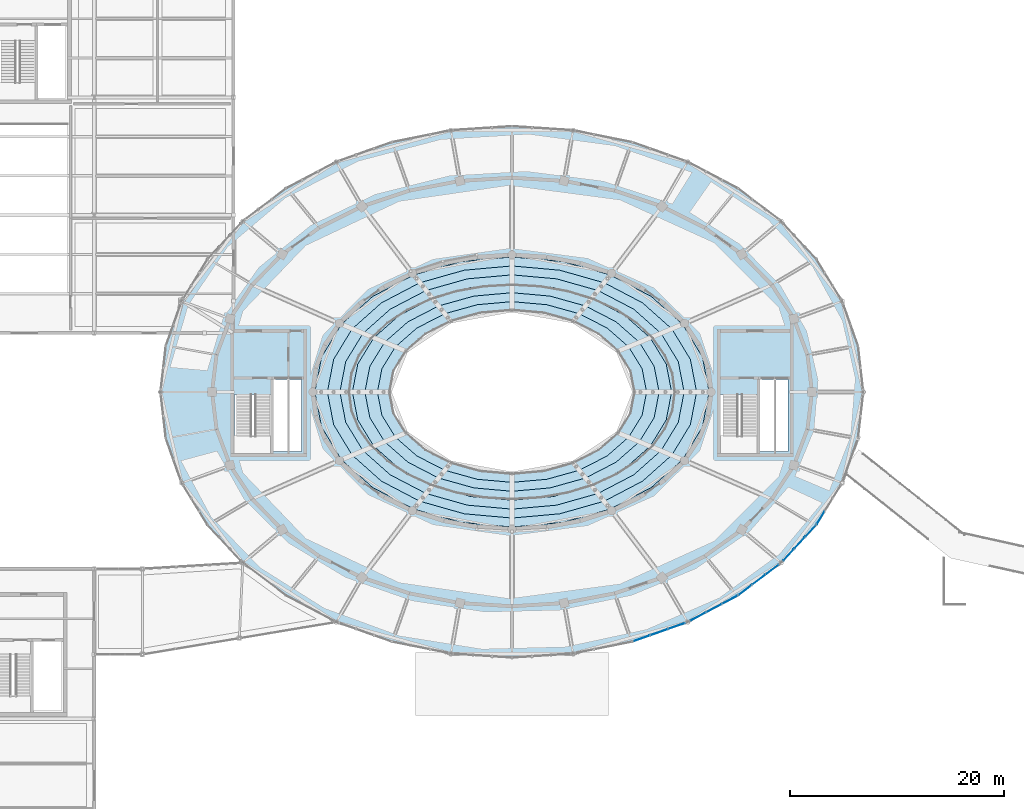
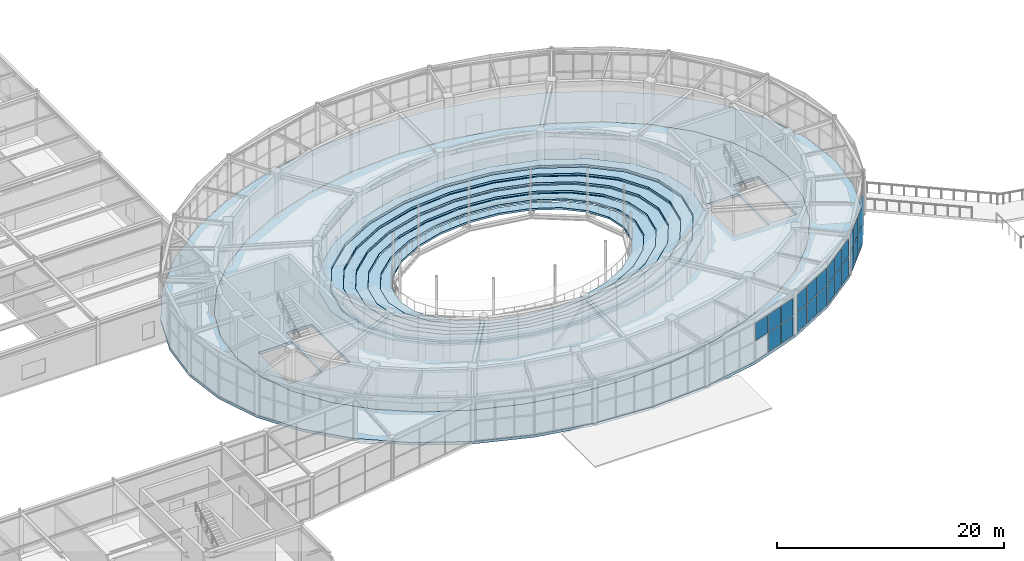
# One storey, part 70 of 100: 25 plates, 8 slabs, 5 elements without a shape of their own.
"""IFC4 building model written with IfcOpenShell, lengths in metres."""

from ifc_helpers import new_model, si_unit, direction, frame, origin, origin_2d, place, context, subcontext, project, spatial, polyline, rectangle, outline, extrude, material, layer, layer_set, type_object, element, aggregate, save


model = new_model("IFC4")

# Units and contexts
model_context = context("Model", 3, precision=1e-05, world=origin(), true_north=direction((0.0, 1.0)))
body_context = subcontext(model_context, "Body", "Model", "MODEL_VIEW")
ifc_project = project(units=[si_unit("LENGTHUNIT", "METRE"), si_unit("AREAUNIT", "SQUARE_METRE"), si_unit("VOLUMEUNIT", "CUBIC_METRE"), si_unit("PLANEANGLEUNIT", "RADIAN"), si_unit("MASSUNIT", "GRAM", prefix="KILO")], contexts=[model_context])

# Site, building, storey
site_placement = place(None, origin())
site = spatial("IfcSite", under=ifc_project, at=site_placement, CompositionType="ELEMENT")
building_placement = place(site_placement, origin())
building = spatial("IfcBuilding", under=site, at=building_placement, Name="Tarnveldt Headland Concert Hall", CompositionType="ELEMENT")
storey_placement = place(building_placement, frame((0.0, 0.0, 4.800048828125)))
storey = spatial("IfcBuildingStorey", under=building, at=storey_placement, Name="L01", CompositionType="ELEMENT", Elevation=4.800048828125)

# Curtain wall, plates
ifc_material_1 = material(Name="Marine-anodised aluminium EN AW-6063-T6", Category="aluminium")
curtain_wall_type = type_object("IfcCurtainWallType", Name="CW-F2", PredefinedType="NOTDEFINED", material=ifc_material_1)
curtain_wall_1_placement = place(storey_placement, origin())
curtain_wall_1 = element("IfcCurtainWall", 1, at=curtain_wall_1_placement, inside=storey, type_object=curtain_wall_type, Name="Curtain wall CW-L01-054", PredefinedType="NOTDEFINED")
ifc_material_2 = material(Name="Acoustic laminated low-iron double glazing", Category="glass")
ifc_layer_1 = layer(ifc_material_2, 0.030029296875, Name="Acoustic laminated low-iron double glazing", Category="glass")
ifc_layer_set_1 = layer_set([ifc_layer_1], Name="Acoustic laminated low-iron double glazing")
plate_type = type_object("IfcPlateType", Name="PN-F2", PredefinedType="CURTAIN_PANEL", material=ifc_layer_set_1)
plate_1_placement = place(storey_placement, frame((95.5751953125, 31.497802734375, 2.20556640625), z_axis=(0.0, 0.0, 1.0), x_axis=(0.9430950477, 0.33252327889, 0.0)))
plate_1 = element("IfcPlate", 2, at=plate_1_placement, type_object=plate_type, Name="Glazed panel CW-L01-054-1-2", PredefinedType="CURTAIN_PANEL", context=body_context, shape_type="SweptSolid", body=[
    extrude(rectangle(XDim=1.617919921875, YDim=0.030029296875, at=origin_2d()), origin(), (0.0, 0.0, 1.0), 1.86181640625),
])
plate_2_placement = place(storey_placement, frame((97.21337890625, 32.0751953125, 0.09228515625), z_axis=(0.0, 0.0, 1.0), x_axis=(0.9430950477, 0.33252327889, 0.0)))
plate_2 = element("IfcPlate", 3, at=plate_2_placement, type_object=plate_type, Name="Glazed panel CW-L01-054-2-1", PredefinedType="CURTAIN_PANEL", context=body_context, shape_type="SweptSolid", body=[
    extrude(rectangle(XDim=1.617919921875, YDim=0.030029296875, at=origin_2d()), origin(), (0.0, 0.0, 1.0), 2.0283203125),
])
plate_3_placement = place(storey_placement, frame((97.21337890625, 32.0751953125, 2.20556640625), z_axis=(0.0, 0.0, 1.0), x_axis=(0.9430950477, 0.33252327889, 0.0)))
plate_3 = element("IfcPlate", 4, at=plate_3_placement, type_object=plate_type, Name="Glazed panel CW-L01-054-2-2", PredefinedType="CURTAIN_PANEL", context=body_context, shape_type="SweptSolid", body=[
    extrude(rectangle(XDim=1.617919921875, YDim=0.030029296875, at=origin_2d()), origin(), (0.0, 0.0, 1.0), 1.86181640625),
])
plate_4_placement = place(storey_placement, frame((98.8515625, 32.65283203125, 0.09228515625), z_axis=(0.0, 0.0, 1.0), x_axis=(0.9430950477, 0.33252327889, 0.0)))
plate_4 = element("IfcPlate", 5, at=plate_4_placement, type_object=plate_type, Name="Glazed panel CW-L01-054-3-1", PredefinedType="CURTAIN_PANEL", context=body_context, shape_type="SweptSolid", body=[
    extrude(rectangle(XDim=1.617919921875, YDim=0.030029296875, at=origin_2d()), origin(), (0.0, 0.0, 1.0), 2.0283203125),
])
plate_5_placement = place(storey_placement, frame((98.8515625, 32.65283203125, 2.20556640625), z_axis=(0.0, 0.0, 1.0), x_axis=(0.9430950477, 0.33252327889, 0.0)))
plate_5 = element("IfcPlate", 6, at=plate_5_placement, type_object=plate_type, Name="Glazed panel CW-L01-054-3-2", PredefinedType="CURTAIN_PANEL", context=body_context, shape_type="SweptSolid", body=[
    extrude(rectangle(XDim=1.617919921875, YDim=0.030029296875, at=origin_2d()), origin(), (0.0, 0.0, 1.0), 1.86181640625),
])
aggregate(curtain_wall_1, [plate_1, plate_2, plate_3, plate_4, plate_5])

curtain_wall_2_placement = place(storey_placement, origin())
curtain_wall_2 = element("IfcCurtainWall", 7, at=curtain_wall_2_placement, inside=storey, type_object=curtain_wall_type, Name="Curtain wall CW-L01-055", PredefinedType="NOTDEFINED")
plate_6_placement = place(storey_placement, frame((100.853759765625, 33.527587890625, 0.09228515625), z_axis=(0.0, 0.0, 1.0), x_axis=(0.883781963382, 0.467898964735, 0.0)))
plate_6 = element("IfcPlate", 8, at=plate_6_placement, type_object=plate_type, Name="Glazed panel CW-L01-055-1-1", PredefinedType="CURTAIN_PANEL", context=body_context, shape_type="SweptSolid", body=[
    extrude(rectangle(XDim=1.552978515625, YDim=0.030029296875, at=origin_2d()), origin(), (0.0, 0.0, 1.0), 2.0283203125),
])
plate_7_placement = place(storey_placement, frame((100.853759765625, 33.527587890625, 2.20556640625), z_axis=(0.0, 0.0, 1.0), x_axis=(0.883781963382, 0.467898964735, 0.0)))
plate_7 = element("IfcPlate", 9, at=plate_7_placement, type_object=plate_type, Name="Glazed panel CW-L01-055-1-2", PredefinedType="CURTAIN_PANEL", context=body_context, shape_type="SweptSolid", body=[
    extrude(rectangle(XDim=1.552978515625, YDim=0.030029296875, at=origin_2d()), origin(), (0.0, 0.0, 1.0), 1.86181640625),
])
plate_8_placement = place(storey_placement, frame((102.33154296875, 34.309814453125, 0.09228515625), z_axis=(0.0, 0.0, 1.0), x_axis=(0.883781963382, 0.467898964735, 0.0)))
plate_8 = element("IfcPlate", 10, at=plate_8_placement, type_object=plate_type, Name="Glazed panel CW-L01-055-2-1", PredefinedType="CURTAIN_PANEL", context=body_context, shape_type="SweptSolid", body=[
    extrude(rectangle(XDim=1.552978515625, YDim=0.030029296875, at=origin_2d()), origin(), (0.0, 0.0, 1.0), 2.0283203125),
])
plate_9_placement = place(storey_placement, frame((102.33154296875, 34.309814453125, 2.20556640625), z_axis=(0.0, 0.0, 1.0), x_axis=(0.883781963382, 0.467898964735, 0.0)))
plate_9 = element("IfcPlate", 11, at=plate_9_placement, type_object=plate_type, Name="Glazed panel CW-L01-055-2-2", PredefinedType="CURTAIN_PANEL", context=body_context, shape_type="SweptSolid", body=[
    extrude(rectangle(XDim=1.552978515625, YDim=0.030029296875, at=origin_2d()), origin(), (0.0, 0.0, 1.0), 1.86181640625),
])
plate_10_placement = place(storey_placement, frame((103.80908203125, 35.09228515625, 0.09228515625), z_axis=(0.0, 0.0, 1.0), x_axis=(0.883781963382, 0.467898964735, 0.0)))
plate_10 = element("IfcPlate", 12, at=plate_10_placement, type_object=plate_type, Name="Glazed panel CW-L01-055-3-1", PredefinedType="CURTAIN_PANEL", context=body_context, shape_type="SweptSolid", body=[
    extrude(rectangle(XDim=1.552978515625, YDim=0.030029296875, at=origin_2d()), origin(), (0.0, 0.0, 1.0), 2.0283203125),
])
plate_11_placement = place(storey_placement, frame((103.80908203125, 35.09228515625, 2.20556640625), z_axis=(0.0, 0.0, 1.0), x_axis=(0.883781963382, 0.467898964735, 0.0)))
plate_11 = element("IfcPlate", 13, at=plate_11_placement, type_object=plate_type, Name="Glazed panel CW-L01-055-3-2", PredefinedType="CURTAIN_PANEL", context=body_context, shape_type="SweptSolid", body=[
    extrude(rectangle(XDim=1.552978515625, YDim=0.030029296875, at=origin_2d()), origin(), (0.0, 0.0, 1.0), 1.86181640625),
])
aggregate(curtain_wall_2, [plate_6, plate_7, plate_8, plate_9, plate_10, plate_11])

curtain_wall_3_placement = place(storey_placement, origin())
curtain_wall_3 = element("IfcCurtainWall", 14, at=curtain_wall_3_placement, inside=storey, type_object=curtain_wall_type, Name="Curtain wall CW-L01-056", PredefinedType="NOTDEFINED")
plate_12_placement = place(storey_placement, frame((105.25146484375, 36.007080078125, 0.09228515625), z_axis=(0.0, 0.0, 1.0), x_axis=(0.797657618631, 0.603110539984, 0.0)))
plate_12 = element("IfcPlate", 15, at=plate_12_placement, type_object=plate_type, Name="Glazed panel CW-L01-056-1-1", PredefinedType="CURTAIN_PANEL", context=body_context, shape_type="SweptSolid", body=[
    extrude(rectangle(XDim=1.47607421875, YDim=0.030029296875, at=origin_2d()), origin(), (0.0, 0.0, 1.0), 2.0283203125),
])
plate_13_placement = place(storey_placement, frame((105.25146484375, 36.007080078125, 2.20556640625), z_axis=(0.0, 0.0, 1.0), x_axis=(0.797657618631, 0.603110539984, 0.0)))
plate_13 = element("IfcPlate", 16, at=plate_13_placement, type_object=plate_type, Name="Glazed panel CW-L01-056-1-2", PredefinedType="CURTAIN_PANEL", context=body_context, shape_type="SweptSolid", body=[
    extrude(rectangle(XDim=1.47607421875, YDim=0.030029296875, at=origin_2d()), origin(), (0.0, 0.0, 1.0), 1.86181640625),
])
plate_14_placement = place(storey_placement, frame((106.523681640625, 36.96923828125, 0.09228515625), z_axis=(0.0, 0.0, 1.0), x_axis=(0.797657618631, 0.603110539984, 0.0)))
plate_14 = element("IfcPlate", 17, at=plate_14_placement, type_object=plate_type, Name="Glazed panel CW-L01-056-2-1", PredefinedType="CURTAIN_PANEL", context=body_context, shape_type="SweptSolid", body=[
    extrude(rectangle(XDim=1.47607421875, YDim=0.030029296875, at=origin_2d()), origin(), (0.0, 0.0, 1.0), 2.0283203125),
])
plate_15_placement = place(storey_placement, frame((106.523681640625, 36.96923828125, 2.20556640625), z_axis=(0.0, 0.0, 1.0), x_axis=(0.797657618631, 0.603110539984, 0.0)))
plate_15 = element("IfcPlate", 18, at=plate_15_placement, type_object=plate_type, Name="Glazed panel CW-L01-056-2-2", PredefinedType="CURTAIN_PANEL", context=body_context, shape_type="SweptSolid", body=[
    extrude(rectangle(XDim=1.47607421875, YDim=0.030029296875, at=origin_2d()), origin(), (0.0, 0.0, 1.0), 1.86181640625),
])
plate_16_placement = place(storey_placement, frame((107.796142578125, 37.93115234375, 0.09228515625), z_axis=(0.0, 0.0, 1.0), x_axis=(0.797657618631, 0.603110539984, 0.0)))
plate_16 = element("IfcPlate", 19, at=plate_16_placement, type_object=plate_type, Name="Glazed panel CW-L01-056-3-1", PredefinedType="CURTAIN_PANEL", context=body_context, shape_type="SweptSolid", body=[
    extrude(rectangle(XDim=1.47607421875, YDim=0.030029296875, at=origin_2d()), origin(), (0.0, 0.0, 1.0), 2.0283203125),
])
plate_17_placement = place(storey_placement, frame((107.796142578125, 37.93115234375, 2.20556640625), z_axis=(0.0, 0.0, 1.0), x_axis=(0.797657618631, 0.603110539984, 0.0)))
plate_17 = element("IfcPlate", 20, at=plate_17_placement, type_object=plate_type, Name="Glazed panel CW-L01-056-3-2", PredefinedType="CURTAIN_PANEL", context=body_context, shape_type="SweptSolid", body=[
    extrude(rectangle(XDim=1.47607421875, YDim=0.030029296875, at=origin_2d()), origin(), (0.0, 0.0, 1.0), 1.86181640625),
])
aggregate(curtain_wall_3, [plate_12, plate_13, plate_14, plate_15, plate_16, plate_17])

curtain_wall_4_placement = place(storey_placement, origin())
curtain_wall_4 = element("IfcCurtainWall", 21, at=curtain_wall_4_placement, inside=storey, type_object=curtain_wall_type, Name="Curtain wall CW-L01-057", PredefinedType="NOTDEFINED")
plate_18_placement = place(storey_placement, frame((109.305908203125, 39.29296875, 0.09228515625), z_axis=(0.0, 0.0, 1.0), x_axis=(0.67945411016, 0.733718005903, 0.0)))
plate_18 = element("IfcPlate", 22, at=plate_18_placement, type_object=plate_type, Name="Glazed panel CW-L01-057-1-1", PredefinedType="CURTAIN_PANEL", context=body_context, shape_type="SweptSolid", body=[
    extrude(rectangle(XDim=1.3955078125, YDim=0.030029296875, at=origin_2d()), origin(), (0.0, 0.0, 1.0), 2.0283203125),
])
plate_19_placement = place(storey_placement, frame((109.305908203125, 39.29296875, 2.20556640625), z_axis=(0.0, 0.0, 1.0), x_axis=(0.67945411016, 0.733718005903, 0.0)))
plate_19 = element("IfcPlate", 23, at=plate_19_placement, type_object=plate_type, Name="Glazed panel CW-L01-057-1-2", PredefinedType="CURTAIN_PANEL", context=body_context, shape_type="SweptSolid", body=[
    extrude(rectangle(XDim=1.3955078125, YDim=0.030029296875, at=origin_2d()), origin(), (0.0, 0.0, 1.0), 1.86181640625),
])
plate_20_placement = place(storey_placement, frame((110.3349609375, 40.404052734375, 0.09228515625), z_axis=(0.0, 0.0, 1.0), x_axis=(0.67945411016, 0.733718005903, 0.0)))
plate_20 = element("IfcPlate", 24, at=plate_20_placement, type_object=plate_type, Name="Glazed panel CW-L01-057-2-1", PredefinedType="CURTAIN_PANEL", context=body_context, shape_type="SweptSolid", body=[
    extrude(rectangle(XDim=1.3955078125, YDim=0.030029296875, at=origin_2d()), origin(), (0.0, 0.0, 1.0), 2.0283203125),
])
plate_21_placement = place(storey_placement, frame((110.3349609375, 40.404052734375, 2.20556640625), z_axis=(0.0, 0.0, 1.0), x_axis=(0.67945411016, 0.733718005903, 0.0)))
plate_21 = element("IfcPlate", 25, at=plate_21_placement, type_object=plate_type, Name="Glazed panel CW-L01-057-2-2", PredefinedType="CURTAIN_PANEL", context=body_context, shape_type="SweptSolid", body=[
    extrude(rectangle(XDim=1.3955078125, YDim=0.030029296875, at=origin_2d()), origin(), (0.0, 0.0, 1.0), 1.86181640625),
])
plate_22_placement = place(storey_placement, frame((111.364013671875, 41.51513671875, 0.09228515625), z_axis=(0.0, 0.0, 1.0), x_axis=(0.67945411016, 0.733718005903, 0.0)))
plate_22 = element("IfcPlate", 26, at=plate_22_placement, type_object=plate_type, Name="Glazed panel CW-L01-057-3-1", PredefinedType="CURTAIN_PANEL", context=body_context, shape_type="SweptSolid", body=[
    extrude(rectangle(XDim=1.3955078125, YDim=0.030029296875, at=origin_2d()), origin(), (0.0, 0.0, 1.0), 2.0283203125),
])
plate_23_placement = place(storey_placement, frame((111.364013671875, 41.51513671875, 2.20556640625), z_axis=(0.0, 0.0, 1.0), x_axis=(0.67945411016, 0.733718005903, 0.0)))
plate_23 = element("IfcPlate", 27, at=plate_23_placement, type_object=plate_type, Name="Glazed panel CW-L01-057-3-2", PredefinedType="CURTAIN_PANEL", context=body_context, shape_type="SweptSolid", body=[
    extrude(rectangle(XDim=1.3955078125, YDim=0.030029296875, at=origin_2d()), origin(), (0.0, 0.0, 1.0), 1.86181640625),
])
aggregate(curtain_wall_4, [plate_18, plate_19, plate_20, plate_21, plate_22, plate_23])

curtain_wall_5_placement = place(storey_placement, origin())
curtain_wall_5 = element("IfcCurtainWall", 28, at=curtain_wall_5_placement, inside=storey, type_object=curtain_wall_type, Name="Curtain wall CW-L01-058", PredefinedType="NOTDEFINED")
plate_24_placement = place(storey_placement, frame((112.304443359375, 42.746826171875, 0.09228515625), z_axis=(0.0, 0.0, 1.0), x_axis=(0.524922111703, 0.851150266783, 0.0)))
plate_24 = element("IfcPlate", 29, at=plate_24_placement, type_object=plate_type, Name="Glazed panel CW-L01-058-1-1", PredefinedType="CURTAIN_PANEL", context=body_context, shape_type="SweptSolid", body=[
    extrude(rectangle(XDim=1.321044921875, YDim=0.030029296875, at=origin_2d()), origin(), (0.0, 0.0, 1.0), 2.0283203125),
])
plate_25_placement = place(storey_placement, frame((112.304443359375, 42.746826171875, 2.20556640625), z_axis=(0.0, 0.0, 1.0), x_axis=(0.524922111703, 0.851150266783, 0.0)))
plate_25 = element("IfcPlate", 30, at=plate_25_placement, type_object=plate_type, Name="Glazed panel CW-L01-058-1-2", PredefinedType="CURTAIN_PANEL", context=body_context, shape_type="SweptSolid", body=[
    extrude(rectangle(XDim=1.321044921875, YDim=0.030029296875, at=origin_2d()), origin(), (0.0, 0.0, 1.0), 1.86181640625),
])
aggregate(curtain_wall_5, [plate_24, plate_25])

# Slabs
ifc_material_3 = material(Name="Concrete C40/50", Category="concrete")
ifc_layer_2 = layer(ifc_material_3, 0.280029296875, Name="Concrete C40/50", Category="concrete")
ifc_layer_set_2 = layer_set([ifc_layer_2], Name="Concrete C40/50")
slab_type_1 = type_object("IfcSlabType", Name="SL-FL280", PredefinedType="FLOOR", material=ifc_layer_set_2)
slab_1_placement = place(storey_placement, frame((0.0, 0.0, -0.280029296875)))
element("IfcSlab", 31, at=slab_1_placement, inside=storey, type_object=slab_type_1, Name="Elliptical foyer ring floor slab L01", PredefinedType="FLOOR", context=body_context, shape_type="SweptSolid", body=[
    extrude(outline(polyline([(115.8017578125, 50.193603515625), (116.300048828125, 54.5), (115.8017578125, 58.806396484375), (114.322021484375, 62.982177734375), (111.905517578125, 66.89990234375), (108.626220703125, 70.441162109375), (104.58349609375, 73.497802734375), (99.89990234375, 75.977294921875), (94.71826171875, 77.804443359375), (89.19580078125, 78.923095703125), (83.5, 79.300048828125), (77.80419921875, 78.923095703125), (72.28173828125, 77.804443359375), (67.10009765625, 75.977294921875), (62.41650390625, 73.497802734375), (58.373779296875, 70.441162109375), (55.094482421875, 66.89990234375), (52.677978515625, 62.982177734375), (51.1982421875, 58.806396484375), (50.699951171875, 54.5), (51.1982421875, 50.193603515625), (52.677978515625, 46.017822265625), (55.094482421875, 42.10009765625), (58.373779296875, 38.558837890625), (62.41650390625, 35.502197265625), (67.10009765625, 33.022705078125), (72.28173828125, 31.195556640625), (77.80419921875, 30.076904296875), (83.5, 29.699951171875), (89.19580078125, 30.076904296875), (94.71826171875, 31.195556640625), (99.89990234375, 33.022705078125), (104.58349609375, 35.502197265625), (108.626220703125, 38.558837890625), (111.905517578125, 42.10009765625), (114.322021484375, 46.017822265625), (115.8017578125, 50.193603515625)]), holes=[polyline([(111.07470703125, 57.972900390625), (111.5, 54.5), (111.07470703125, 51.027099609375), (109.811279296875, 47.65966796875), (107.748779296875, 44.5), (104.94921875, 41.644287109375), (101.498046875, 39.17919921875), (97.5, 37.179443359375), (93.07666015625, 35.7060546875), (88.362060546875, 34.8037109375), (83.5, 34.5), (78.637939453125, 34.8037109375), (73.92333984375, 35.7060546875), (69.5, 37.179443359375), (65.501953125, 39.17919921875), (62.05078125, 41.644287109375), (59.251220703125, 44.5), (57.188720703125, 47.65966796875), (55.92529296875, 51.027099609375), (55.5, 54.5), (55.92529296875, 57.972900390625), (57.188720703125, 61.34033203125), (59.251220703125, 64.5), (62.05078125, 67.355712890625), (65.501953125, 69.82080078125), (69.5, 71.820556640625), (73.92333984375, 73.2939453125), (78.637939453125, 74.1962890625), (83.5, 74.5), (88.362060546875, 74.1962890625), (93.07666015625, 73.2939453125), (97.5, 71.820556640625), (101.498046875, 69.82080078125), (104.94921875, 67.355712890625), (107.748779296875, 64.5), (109.811279296875, 61.34033203125), (111.07470703125, 57.972900390625)])]), origin(), (0.0, 0.0, 1.0), 0.280029296875),
])
slab_2_placement = place(storey_placement, frame((0.0, 0.0, -0.280029296875)))
element("IfcSlab", 32, at=slab_2_placement, inside=storey, type_object=slab_type_1, Name="Symphony drum floor slab L01", PredefinedType="FLOOR", context=body_context, shape_type="SweptSolid", body=[
    extrude(outline(polyline([(101.498046875, 39.17919921875), (104.94921875, 41.644287109375), (107.748779296875, 44.5), (109.811279296875, 47.65966796875), (111.07470703125, 51.027099609375), (111.5, 54.5), (111.07470703125, 57.972900390625), (109.811279296875, 61.34033203125), (107.748779296875, 64.5), (104.94921875, 67.355712890625), (101.498046875, 69.82080078125), (97.5, 71.820556640625), (93.07666015625, 73.2939453125), (88.362060546875, 74.1962890625), (83.5, 74.5), (78.637939453125, 74.1962890625), (73.92333984375, 73.2939453125), (69.5, 71.820556640625), (65.501953125, 69.82080078125), (62.05078125, 67.355712890625), (59.251220703125, 64.5), (57.188720703125, 61.34033203125), (55.92529296875, 57.972900390625), (55.5, 54.5), (55.92529296875, 51.027099609375), (57.188720703125, 47.65966796875), (59.251220703125, 44.5), (62.05078125, 41.644287109375), (65.501953125, 39.17919921875), (69.5, 37.179443359375), (73.92333984375, 35.7060546875), (78.637939453125, 34.8037109375), (83.5, 34.5), (88.362060546875, 34.8037109375), (93.07666015625, 35.7060546875), (97.5, 37.179443359375), (101.498046875, 39.17919921875)]), holes=[polyline([(93.2705078125, 62.160400390625), (95.143798828125, 60.927978515625), (96.66357421875, 59.5), (97.783203125, 57.920166015625), (98.468994140625, 56.236572265625), (98.699951171875, 54.5), (98.468994140625, 52.763427734375), (97.783203125, 51.079833984375), (96.66357421875, 49.5), (95.143798828125, 48.072021484375), (93.2705078125, 46.839599609375), (91.10009765625, 45.839599609375), (88.69873046875, 45.10302734375), (86.139404296875, 44.65185546875), (83.5, 44.5), (80.860595703125, 44.65185546875), (78.30126953125, 45.10302734375), (75.89990234375, 45.839599609375), (73.7294921875, 46.839599609375), (71.856201171875, 48.072021484375), (70.33642578125, 49.5), (69.216796875, 51.079833984375), (68.531005859375, 52.763427734375), (68.300048828125, 54.5), (68.531005859375, 56.236572265625), (69.216796875, 57.920166015625), (70.33642578125, 59.5), (71.856201171875, 60.927978515625), (73.7294921875, 62.160400390625), (75.89990234375, 63.160400390625), (78.30126953125, 63.89697265625), (80.860595703125, 64.34814453125), (83.5, 64.5), (86.139404296875, 64.34814453125), (88.69873046875, 63.89697265625), (91.10009765625, 63.160400390625), (93.2705078125, 62.160400390625)]), polyline([(60.9599609375, 48.780029296875), (57.580078125, 48.780029296875), (57.580078125, 54.280029296875), (60.9599609375, 54.280029296875), (60.9599609375, 48.780029296875)]), polyline([(61.239990234375, 48.9599609375), (61.239990234375, 55.659912109375), (63.840087890625, 55.659912109375), (63.840087890625, 48.9599609375), (61.239990234375, 48.9599609375)]), polyline([(102.97998046875, 54.280029296875), (106.360107421875, 54.280029296875), (106.360107421875, 48.780029296875), (102.97998046875, 48.780029296875), (102.97998046875, 54.280029296875)]), polyline([(109.239990234375, 55.659912109375), (109.239990234375, 48.9599609375), (106.639892578125, 48.9599609375), (106.639892578125, 55.659912109375), (109.239990234375, 55.659912109375)])]), origin(), (0.0, 0.0, 1.0), 0.280029296875),
])
ifc_layer_3 = layer(ifc_material_3, 0.205078125, Name="Concrete C40/50", Category="concrete")
ifc_layer_set_3 = layer_set([ifc_layer_3], Name="Concrete C40/50")
slab_type_2 = type_object("IfcSlabType", Name="ST-TIER205", PredefinedType="USERDEFINED", material=ifc_layer_set_3)
slab_3_placement = place(storey_placement, frame((0.0, 0.0, 0.074951171875)))
element("IfcSlab", 33, at=slab_3_placement, inside=storey, type_object=slab_type_2, Name="Stand L01 vineyard seating tier 1 vomitory", ObjectType="SEATING TIER", PredefinedType="USERDEFINED", context=body_context, shape_type="SweptSolid", body=[
    extrude(outline(polyline([(96.066650390625, 54.5), (95.638427734375, 56.6826171875), (94.383056640625, 58.716796875), (92.385986328125, 60.46337890625), (89.783203125, 61.803466796875), (86.75244140625, 62.64599609375), (83.5, 62.933349609375), (80.24755859375, 62.64599609375), (77.216796875, 61.803466796875), (74.614013671875, 60.46337890625), (72.616943359375, 58.716796875), (71.361572265625, 56.6826171875), (70.933349609375, 54.5), (71.361572265625, 52.3173828125), (72.616943359375, 50.283203125), (74.614013671875, 48.53662109375), (77.216796875, 47.196533203125), (80.24755859375, 46.35400390625), (83.5, 46.066650390625), (86.75244140625, 46.35400390625), (89.783203125, 47.196533203125), (92.385986328125, 48.53662109375), (94.383056640625, 50.283203125), (95.638427734375, 52.3173828125), (96.066650390625, 54.5)]), holes=[polyline([(94.51171875, 52.532958984375), (93.372802734375, 50.699951171875), (91.56103515625, 49.1259765625), (89.199951171875, 47.918212890625), (86.450439453125, 47.158935546875), (83.5, 46.89990234375), (80.549560546875, 47.158935546875), (77.800048828125, 47.918212890625), (75.43896484375, 49.1259765625), (73.627197265625, 50.699951171875), (72.48828125, 52.532958984375), (72.10009765625, 54.5), (72.48828125, 56.467041015625), (73.627197265625, 58.300048828125), (75.43896484375, 59.8740234375), (77.800048828125, 61.081787109375), (80.549560546875, 61.841064453125), (83.5, 62.10009765625), (86.450439453125, 61.841064453125), (89.199951171875, 61.081787109375), (91.56103515625, 59.8740234375), (93.372802734375, 58.300048828125), (94.51171875, 56.467041015625), (94.89990234375, 54.5), (94.51171875, 52.532958984375)])]), origin(), (0.0, 0.0, 1.0), 0.205078125),
])
slab_4_placement = place(storey_placement, frame((0.0, 0.0, 0.35498046875)))
element("IfcSlab", 34, at=slab_4_placement, inside=storey, type_object=slab_type_2, Name="Stand L01 vineyard seating tier 2 vomitory", ObjectType="SEATING TIER", PredefinedType="USERDEFINED", context=body_context, shape_type="SweptSolid", body=[
    extrude(outline(polyline([(97.2333984375, 54.5), (96.765380859375, 56.8984375), (95.393310546875, 59.13330078125), (93.2109375, 61.052490234375), (90.36669921875, 62.525146484375), (87.054443359375, 63.450927734375), (83.5, 63.7666015625), (79.945556640625, 63.450927734375), (76.63330078125, 62.525146484375), (73.7890625, 61.052490234375), (71.606689453125, 59.13330078125), (70.234619140625, 56.8984375), (69.7666015625, 54.5), (70.234619140625, 52.1015625), (71.606689453125, 49.86669921875), (73.7890625, 47.947509765625), (76.63330078125, 46.474853515625), (79.945556640625, 45.549072265625), (83.5, 45.2333984375), (87.054443359375, 45.549072265625), (90.36669921875, 46.474853515625), (93.2109375, 47.947509765625), (95.393310546875, 49.86669921875), (96.765380859375, 52.1015625), (97.2333984375, 54.5)]), holes=[polyline([(95.638427734375, 52.3173828125), (94.383056640625, 50.283203125), (92.385986328125, 48.53662109375), (89.783203125, 47.196533203125), (86.75244140625, 46.35400390625), (83.5, 46.066650390625), (80.24755859375, 46.35400390625), (77.216796875, 47.196533203125), (74.614013671875, 48.53662109375), (72.616943359375, 50.283203125), (71.361572265625, 52.3173828125), (70.933349609375, 54.5), (71.361572265625, 56.6826171875), (72.616943359375, 58.716796875), (74.614013671875, 60.46337890625), (77.216796875, 61.803466796875), (80.24755859375, 62.64599609375), (83.5, 62.933349609375), (86.75244140625, 62.64599609375), (89.783203125, 61.803466796875), (92.385986328125, 60.46337890625), (94.383056640625, 58.716796875), (95.638427734375, 56.6826171875), (96.066650390625, 54.5), (95.638427734375, 52.3173828125)])]), origin(), (0.0, 0.0, 1.0), 0.205078125),
])
slab_5_placement = place(storey_placement, frame((0.0, 0.0, 0.635009765625)))
element("IfcSlab", 35, at=slab_5_placement, inside=storey, type_object=slab_type_2, Name="Stand L01 vineyard seating tier 3 vomitory", ObjectType="SEATING TIER", PredefinedType="USERDEFINED", context=body_context, shape_type="SweptSolid", body=[
    extrude(outline(polyline([(98.39990234375, 54.5), (97.892333984375, 57.114013671875), (96.40380859375, 59.550048828125), (94.035888671875, 61.641845703125), (90.949951171875, 63.246826171875), (87.3564453125, 64.255859375), (83.5, 64.60009765625), (79.6435546875, 64.255859375), (76.050048828125, 63.246826171875), (72.964111328125, 61.641845703125), (70.59619140625, 59.550048828125), (69.107666015625, 57.114013671875), (68.60009765625, 54.5), (69.107666015625, 51.885986328125), (70.59619140625, 49.449951171875), (72.964111328125, 47.358154296875), (76.050048828125, 45.753173828125), (79.6435546875, 44.744140625), (83.5, 44.39990234375), (87.3564453125, 44.744140625), (90.949951171875, 45.753173828125), (94.035888671875, 47.358154296875), (96.40380859375, 49.449951171875), (97.892333984375, 51.885986328125), (98.39990234375, 54.5)]), holes=[polyline([(96.765380859375, 52.1015625), (95.393310546875, 49.86669921875), (93.2109375, 47.947509765625), (90.36669921875, 46.474853515625), (87.054443359375, 45.549072265625), (83.5, 45.2333984375), (79.945556640625, 45.549072265625), (76.63330078125, 46.474853515625), (73.7890625, 47.947509765625), (71.606689453125, 49.86669921875), (70.234619140625, 52.1015625), (69.7666015625, 54.5), (70.234619140625, 56.8984375), (71.606689453125, 59.13330078125), (73.7890625, 61.052490234375), (76.63330078125, 62.525146484375), (79.945556640625, 63.450927734375), (83.5, 63.7666015625), (87.054443359375, 63.450927734375), (90.36669921875, 62.525146484375), (93.2109375, 61.052490234375), (95.393310546875, 59.13330078125), (96.765380859375, 56.8984375), (97.2333984375, 54.5), (96.765380859375, 52.1015625)])]), origin(), (0.0, 0.0, 1.0), 0.204833984375),
])
slab_6_placement = place(storey_placement, frame((0.0, 0.0, 0.9150390625)))
element("IfcSlab", 36, at=slab_6_placement, inside=storey, type_object=slab_type_2, Name="Stand L01 vineyard seating tier 4 vomitory", ObjectType="SEATING TIER", PredefinedType="USERDEFINED", context=body_context, shape_type="SweptSolid", body=[
    extrude(outline(polyline([(99.566650390625, 54.5), (99.019287109375, 57.329833984375), (97.4140625, 59.966796875), (94.86083984375, 62.23095703125), (91.533203125, 63.968505859375), (87.658447265625, 65.060791015625), (83.5, 65.433349609375), (79.341552734375, 65.060791015625), (75.466796875, 63.968505859375), (72.13916015625, 62.23095703125), (69.5859375, 59.966796875), (67.980712890625, 57.329833984375), (67.433349609375, 54.5), (67.980712890625, 51.670166015625), (69.5859375, 49.033203125), (72.13916015625, 46.76904296875), (75.466796875, 45.031494140625), (79.341552734375, 43.939208984375), (83.5, 43.566650390625), (87.658447265625, 43.939208984375), (91.533203125, 45.031494140625), (94.86083984375, 46.76904296875), (97.4140625, 49.033203125), (99.019287109375, 51.670166015625), (99.566650390625, 54.5)]), holes=[polyline([(97.892333984375, 51.885986328125), (96.40380859375, 49.449951171875), (94.035888671875, 47.358154296875), (90.949951171875, 45.753173828125), (87.3564453125, 44.744140625), (83.5, 44.39990234375), (79.6435546875, 44.744140625), (76.050048828125, 45.753173828125), (72.964111328125, 47.358154296875), (70.59619140625, 49.449951171875), (69.107666015625, 51.885986328125), (68.60009765625, 54.5), (69.107666015625, 57.114013671875), (70.59619140625, 59.550048828125), (72.964111328125, 61.641845703125), (76.050048828125, 63.246826171875), (79.6435546875, 64.255859375), (83.5, 64.60009765625), (87.3564453125, 64.255859375), (90.949951171875, 63.246826171875), (94.035888671875, 61.641845703125), (96.40380859375, 59.550048828125), (97.892333984375, 57.114013671875), (98.39990234375, 54.5), (97.892333984375, 51.885986328125)])]), origin(), (0.0, 0.0, 1.0), 0.204833984375),
])
slab_7_placement = place(storey_placement, frame((0.0, 0.0, 1.195068359375)))
element("IfcSlab", 37, at=slab_7_placement, inside=storey, type_object=slab_type_2, Name="Stand L01 vineyard seating tier 5 vomitory", ObjectType="SEATING TIER", PredefinedType="USERDEFINED", context=body_context, shape_type="SweptSolid", body=[
    extrude(outline(polyline([(100.7333984375, 54.5), (100.14599609375, 57.54541015625), (98.424560546875, 60.38330078125), (95.685791015625, 62.8203125), (92.11669921875, 64.690185546875), (87.960205078125, 65.86572265625), (83.5, 66.2666015625), (79.039794921875, 65.86572265625), (74.88330078125, 64.690185546875), (71.314208984375, 62.8203125), (68.575439453125, 60.38330078125), (66.85400390625, 57.54541015625), (66.2666015625, 54.5), (66.85400390625, 51.45458984375), (68.575439453125, 48.61669921875), (71.314208984375, 46.1796875), (74.88330078125, 44.309814453125), (79.039794921875, 43.13427734375), (83.5, 42.7333984375), (87.960205078125, 43.13427734375), (92.11669921875, 44.309814453125), (95.685791015625, 46.1796875), (98.424560546875, 48.61669921875), (100.14599609375, 51.45458984375), (100.7333984375, 54.5)]), holes=[polyline([(99.019287109375, 51.670166015625), (97.4140625, 49.033203125), (94.86083984375, 46.76904296875), (91.533203125, 45.031494140625), (87.658447265625, 43.939208984375), (83.5, 43.566650390625), (79.341552734375, 43.939208984375), (75.466796875, 45.031494140625), (72.13916015625, 46.76904296875), (69.5859375, 49.033203125), (67.980712890625, 51.670166015625), (67.433349609375, 54.5), (67.980712890625, 57.329833984375), (69.5859375, 59.966796875), (72.13916015625, 62.23095703125), (75.466796875, 63.968505859375), (79.341552734375, 65.060791015625), (83.5, 65.433349609375), (87.658447265625, 65.060791015625), (91.533203125, 63.968505859375), (94.86083984375, 62.23095703125), (97.4140625, 59.966796875), (99.019287109375, 57.329833984375), (99.566650390625, 54.5), (99.019287109375, 51.670166015625)])]), origin(), (0.0, 0.0, 1.0), 0.204833984375),
])
slab_8_placement = place(storey_placement, frame((0.0, 0.0, 1.474853515625)))
element("IfcSlab", 38, at=slab_8_placement, inside=storey, type_object=slab_type_2, Name="Stand L01 vineyard seating tier 6 vomitory", ObjectType="SEATING TIER", PredefinedType="USERDEFINED", context=body_context, shape_type="SweptSolid", body=[
    extrude(outline(polyline([(101.89990234375, 54.5), (101.27294921875, 57.760986328125), (99.434814453125, 60.800048828125), (96.5107421875, 63.409423828125), (92.699951171875, 65.411865234375), (88.26220703125, 66.670654296875), (83.5, 67.10009765625), (78.73779296875, 66.670654296875), (74.300048828125, 65.411865234375), (70.4892578125, 63.409423828125), (67.565185546875, 60.800048828125), (65.72705078125, 57.760986328125), (65.10009765625, 54.5), (65.72705078125, 51.239013671875), (67.565185546875, 48.199951171875), (70.4892578125, 45.590576171875), (74.300048828125, 43.588134765625), (78.73779296875, 42.329345703125), (83.5, 41.89990234375), (88.26220703125, 42.329345703125), (92.699951171875, 43.588134765625), (96.5107421875, 45.590576171875), (99.434814453125, 48.199951171875), (101.27294921875, 51.239013671875), (101.89990234375, 54.5)]), holes=[polyline([(100.14599609375, 51.45458984375), (98.424560546875, 48.61669921875), (95.685791015625, 46.1796875), (92.11669921875, 44.309814453125), (87.960205078125, 43.13427734375), (83.5, 42.7333984375), (79.039794921875, 43.13427734375), (74.88330078125, 44.309814453125), (71.314208984375, 46.1796875), (68.575439453125, 48.61669921875), (66.85400390625, 51.45458984375), (66.2666015625, 54.5), (66.85400390625, 57.54541015625), (68.575439453125, 60.38330078125), (71.314208984375, 62.8203125), (74.88330078125, 64.690185546875), (79.039794921875, 65.86572265625), (83.5, 66.2666015625), (87.960205078125, 65.86572265625), (92.11669921875, 64.690185546875), (95.685791015625, 62.8203125), (98.424560546875, 60.38330078125), (100.14599609375, 57.54541015625), (100.7333984375, 54.5), (100.14599609375, 51.45458984375)])]), origin(), (0.0, 0.0, 1.0), 0.205078125),
])

save(model, "model.ifc")
